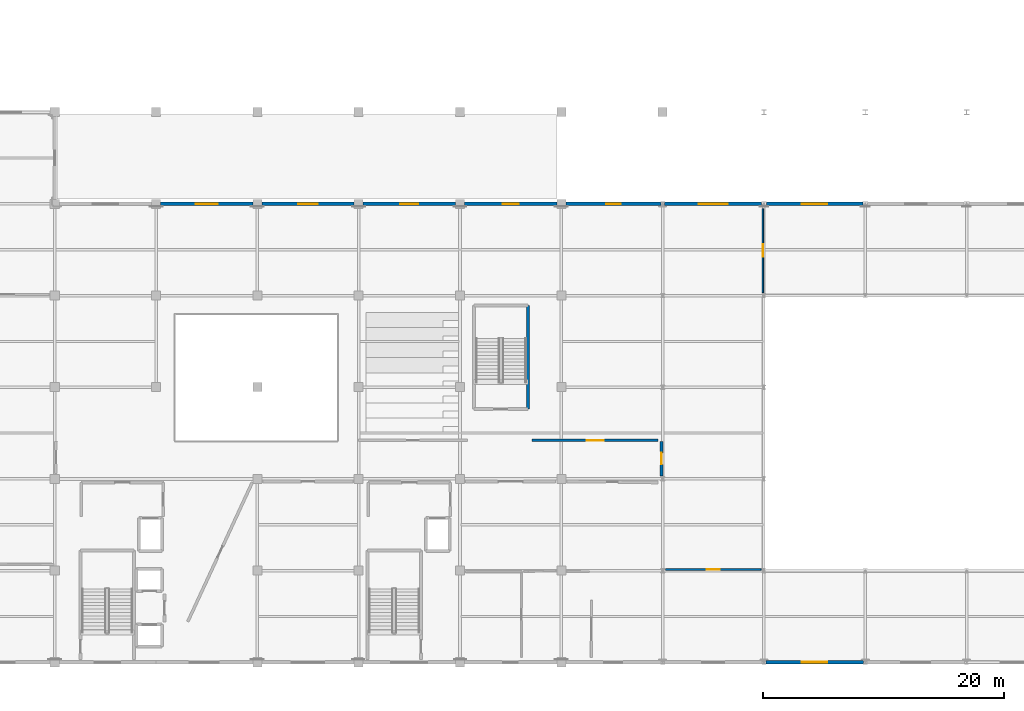
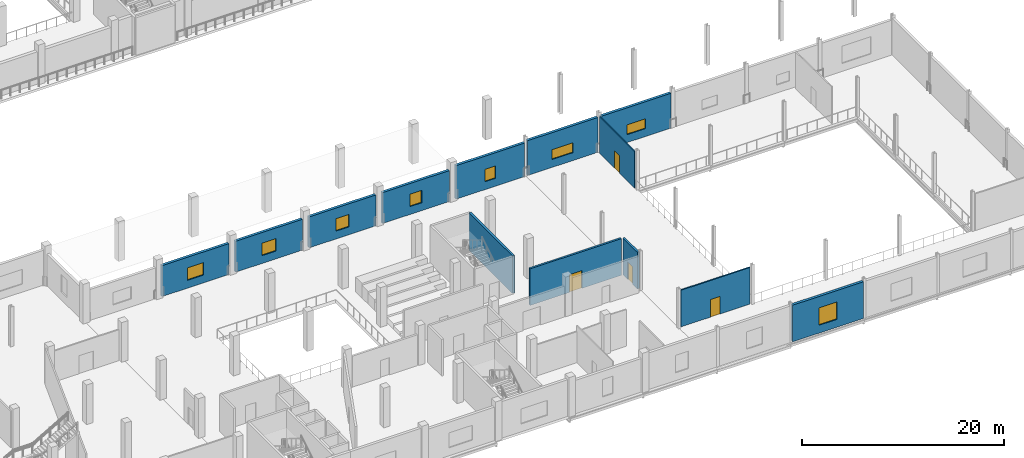
# One storey, part 27 of 51: 13 walls, 8 windows, 4 doors, 12 openings.
"""IFC4 building model written with IfcOpenShell, lengths in metres."""

import ifcopenshell
import ifcopenshell.guid

model = None  # the IFC model being written
_history = None  # IfcOwnerHistory: only IFC2X3 demands one
_inside = {}  # id of a spatial element -> (the spatial element, [elements in it])
_under = {}  # id of a project, library or spatial element -> (it, [spatial elements below it])
_declared = {}  # id of a project -> (the project, [libraries it declares])
_typed = {}  # id of a type object -> (the type object, [elements of that type])
_made_of = {}  # id of a material, layer set ... -> (it, [elements and type objects made of it])


def new_model(schema):
    """Start an empty IFC model of exactly this schema.

    Asked for "IFC4X3", IfcOpenShell would pick the latest addendum, in which some entities
    have other attributes; the version numbers below select the first issue.
    IFC2X3 requires an IfcOwnerHistory on every rooted entity: one is made here for all.
    """
    global model, _history
    if schema == "IFC4X3":
        model = ifcopenshell.file(schema_version=(4, 3, 0, 0))
    else:
        model = ifcopenshell.file(schema=schema)
    _inside.clear()
    _under.clear()
    _declared.clear()
    _typed.clear()
    _made_of.clear()
    _history = None
    if model.schema == "IFC2X3":
        org = make("IfcOrganization", Name="unknown")
        user = make(
            "IfcPersonAndOrganization",
            ThePerson=make("IfcPerson", FamilyName="unknown"),
            TheOrganization=org,
        )
        app = make(
            "IfcApplication",
            ApplicationDeveloper=org,
            Version="unknown",
            ApplicationFullName="unknown",
            ApplicationIdentifier="unknown",
        )
        _history = make(
            "IfcOwnerHistory",
            OwningUser=user,
            OwningApplication=app,
            ChangeAction="ADDED",
            CreationDate=0,
        )
    return model


def make(cls, **values):
    """One entity of the class cls with the attributes given. An attribute that is None is left unset."""
    return model.create_entity(
        cls, **{name: value for name, value in values.items() if value is not None}
    )


def rooted(cls, **values):
    """An entity with a GlobalId (a new one), such as an element, a storey or a relation."""
    return make(cls, GlobalId=ifcopenshell.guid.new(), OwnerHistory=_history, **values)


def si_unit(unit_type, name, prefix=None):
    """IfcSIUnit, for example si_unit("LENGTHUNIT", "METRE", prefix="MILLI")."""
    return make("IfcSIUnit", UnitType=unit_type, Prefix=prefix, Name=name)


def assignment(units):
    """IfcUnitAssignment: the units of a project."""
    return None if units is None else make("IfcUnitAssignment", Units=units)


def point(xyz):
    """IfcCartesianPoint."""
    return None if xyz is None else make("IfcCartesianPoint", Coordinates=xyz)


def direction(xyz):
    """IfcDirection."""
    return None if xyz is None else make("IfcDirection", DirectionRatios=xyz)


def frame(location, z_axis=None, x_axis=None):
    """IfcAxis2Placement3D, a coordinate frame: its origin and axes. An axis left out is left unset."""
    return make(
        "IfcAxis2Placement3D",
        Location=point(location),
        Axis=direction(z_axis),
        RefDirection=direction(x_axis),
    )


def frame_2d(location, x_axis=None):
    """IfcAxis2Placement2D, a coordinate frame in the plane: its origin and x axis."""
    return make(
        "IfcAxis2Placement2D", Location=point(location), RefDirection=direction(x_axis)
    )


def origin():
    """The frame at (0, 0, 0) with its axes left unset."""
    return frame((0.0, 0.0, 0.0))


def place(relative_to, where):
    """IfcLocalPlacement: puts the frame where relative to a parent placement (None: the world)."""
    return make(
        "IfcLocalPlacement", PlacementRelTo=relative_to, RelativePlacement=where
    )


def context(
    kind, dimensions, precision=None, world=None, true_north=None, identifier=None
):
    """IfcGeometricRepresentationContext, for example the 3D "Model" context."""
    return make(
        "IfcGeometricRepresentationContext",
        ContextIdentifier=identifier,
        ContextType=kind,
        CoordinateSpaceDimension=dimensions,
        Precision=precision,
        WorldCoordinateSystem=world,
        TrueNorth=true_north,
    )


def subcontext(parent, identifier, kind, view, scale=None):
    """IfcGeometricRepresentationSubContext, for example "Body" below "Model"."""
    return make(
        "IfcGeometricRepresentationSubContext",
        ContextIdentifier=identifier,
        ContextType=kind,
        ParentContext=parent,
        TargetScale=scale,
        TargetView=view,
    )


def project(units=None, contexts=None):
    """IfcProject with its units and contexts."""
    return rooted(
        "IfcProject",
        Name="project",
        RepresentationContexts=contexts,
        UnitsInContext=assignment(units),
    )


def spatial(cls, under=None, at=None, **own):
    """A site, building, storey or space (cls), placed at a placement, below another one or the project."""
    s = rooted(cls, ObjectPlacement=at, **own)
    if under is not None:
        _under.setdefault(under.id(), (under, []))[1].append(s)
    return s


def profile(cls, at=None, kind="AREA", **sizes):
    """A parametric profile (cls). Its sizes go by their IFC names, for example OverallWidth=200.0."""
    return make(cls, ProfileType=kind, Position=at, **sizes)


def rectangle(**sizes):
    """IfcRectangleProfileDef."""
    return profile("IfcRectangleProfileDef", **sizes)


def extrude(swept, where, along, depth):
    """IfcExtrudedAreaSolid: the profile swept, set in the frame where, extruded along a direction by depth."""
    return make(
        "IfcExtrudedAreaSolid",
        SweptArea=swept,
        Position=where,
        ExtrudedDirection=direction(along),
        Depth=depth,
    )


def shape(context_of_items, identifier, shape_type, items):
    """IfcShapeRepresentation: the items that make up one representation, for example the "Body"."""
    return make(
        "IfcShapeRepresentation",
        ContextOfItems=context_of_items,
        RepresentationIdentifier=identifier,
        RepresentationType=shape_type,
        Items=items,
    )


def material(Name=None, Category=None):
    """IfcMaterial."""
    return make("IfcMaterial", Name=Name, Category=Category)


def layer(
    of_material, thickness, ventilated=None, Name=None, Category=None, Priority=None
):
    """IfcMaterialLayer: one layer of a wall or slab, of a material (None: an air gap)."""
    return make(
        "IfcMaterialLayer",
        Material=of_material,
        LayerThickness=thickness,
        IsVentilated=ventilated,
        Name=Name,
        Category=Category,
        Priority=Priority,
    )


def layer_set(layers, Name=None):
    """IfcMaterialLayerSet."""
    return make("IfcMaterialLayerSet", MaterialLayers=layers, LayerSetName=Name)


def made_of(thing, what):
    """Note that an element or type object is made of a material, layer set ...; save() writes the relation."""
    if what is not None:
        _made_of.setdefault(what.id(), (what, []))[1].append(thing)
    return thing


def type_object(cls, material=None, **own):
    """A type object (cls), such as IfcWallType, which elements share."""
    return made_of(rooted(cls, **own), material)


def element(
    cls,
    number,
    at=None,
    inside=None,
    cuts=None,
    type_object=None,
    material=None,
    context=None,
    identifier="Body",
    shape_type=None,
    held_by="IfcProductDefinitionShape",
    body=None,
    shapes=None,
    **own,
):
    """One element of the class cls, such as IfcWall. Its Tag is "e" and its number.

    at: its placement. inside: the storey or other place that contains it. cuts: it is an
    opening in that element (IfcRelVoidsElement). A single representation is given by context,
    identifier, shape_type and body (its items); several are given by shapes. held_by: the class
    of the entity that holds the representations. save() writes the other relations.
    """
    e = rooted(cls, Tag="e%d" % number, ObjectPlacement=at, **own)
    if body is not None:
        shapes = [shape(context, identifier, shape_type, body)]
    if shapes is not None:
        e.Representation = make(held_by, Representations=shapes)
    if inside is not None:
        _inside.setdefault(inside.id(), (inside, []))[1].append(e)
    if cuts is not None:
        rooted(
            "IfcRelVoidsElement", RelatingBuildingElement=cuts, RelatedOpeningElement=e
        )
    if type_object is not None:
        _typed.setdefault(type_object.id(), (type_object, []))[1].append(e)
    return made_of(e, material)


def fill(opening, filler):
    """IfcRelFillsElement: the door or window that sits in an opening."""
    return rooted(
        "IfcRelFillsElement",
        RelatingOpeningElement=opening,
        RelatedBuildingElement=filler,
    )


def aggregate(whole, parts):
    """IfcRelAggregates: a whole, such as a stair, and the parts it consists of."""
    return rooted("IfcRelAggregates", RelatingObject=whole, RelatedObjects=parts)


def save(model, path):
    """Write the relations noted so far, then the file.

    IfcRelAggregates (storeys below a building ...), IfcRelContainedInSpatialStructure (elements
    in a storey), IfcRelDefinesByType, IfcRelAssociatesMaterial and IfcRelDeclares: one each for
    every whole, place, type object, material and project.
    """
    for whole, parts in _under.values():
        aggregate(whole, parts)
    for where, things in _inside.values():
        rooted(
            "IfcRelContainedInSpatialStructure",
            RelatedElements=things,
            RelatingStructure=where,
        )
    for kind, things in _typed.values():
        rooted("IfcRelDefinesByType", RelatedObjects=things, RelatingType=kind)
    for what, things in _made_of.values():
        rooted("IfcRelAssociatesMaterial", RelatedObjects=things, RelatingMaterial=what)
    for by, libraries in _declared.values():
        rooted("IfcRelDeclares", RelatingContext=by, RelatedDefinitions=libraries)
    model.write(path)


model = new_model("IFC4")

# Units and contexts
model_context = context("Model", 3, precision=1e-05, world=origin(), true_north=direction((0.0, 1.0)))
body_context = subcontext(model_context, "Body", "Model", "MODEL_VIEW")
ifc_project = project(units=[si_unit("LENGTHUNIT", "METRE"), si_unit("AREAUNIT", "SQUARE_METRE"), si_unit("VOLUMEUNIT", "CUBIC_METRE"), si_unit("PLANEANGLEUNIT", "RADIAN"), si_unit("MASSUNIT", "GRAM", prefix="KILO")], contexts=[model_context])

# Site, building, storey
site_placement = place(None, origin())
site = spatial("IfcSite", under=ifc_project, at=site_placement, CompositionType="ELEMENT")
building_placement = place(site_placement, origin())
building = spatial("IfcBuilding", under=site, at=building_placement, Name="Zuvorla Pavilion Media Centre", CompositionType="ELEMENT")
storey_placement = place(building_placement, frame((0.0, 0.0, 4.800048828125)))
storey = spatial("IfcBuildingStorey", under=building, at=storey_placement, Name="L01", CompositionType="ELEMENT", Elevation=4.800048828125)

# Wall, opening, door
ifc_material_1 = material(Name="Acoustic masonry blockwork C32/40", Category="masonry")
ifc_layer_1 = layer(ifc_material_1, 0.219970703125)
ifc_layer_set_1 = layer_set([ifc_layer_1], Name="Acoustic masonry blockwork C32/40")
wall_type_1 = type_object("IfcWallType", Name="WL-CMP-220", PredefinedType="SOLIDWALL", material=ifc_layer_set_1)
wall_1_placement = place(storey_placement, frame((106.380615234375, 24.39990234375, 0.0), z_axis=(0.0, 0.0, 1.0), x_axis=(1.0, 0.0, 0.0)))
wall_1 = element("IfcWall", 1, at=wall_1_placement, inside=storey, type_object=wall_type_1, Name="L01 solid wall IW22 474", PredefinedType="SOLIDWALL", context=body_context, shape_type="SweptSolid", body=[
    extrude(rectangle(XDim=10.43896484375, YDim=0.219970703125, at=frame_2d((5.219482421875, 0.0))), origin(), (0.0, 0.0, 1.0), 4.429931640625),
])
opening_1_placement = place(wall_1_placement, frame((4.51953125, 0.0, 0.0)))
opening_1 = element("IfcOpeningElement", 2, at=opening_1_placement, cuts=wall_1, Name="Opening FD07", PredefinedType="OPENING", context=body_context, shape_type="SweptSolid", body=[
    extrude(rectangle(XDim=1.39990234375, YDim=2.14990234375, at=frame_2d((0.699951171875, 1.074951171875))), frame((0.0, 0.119873046875, 0.0), z_axis=(0.0, -1.0, 0.0), x_axis=(1.0, 0.0, 0.0)), (0.0, 0.0, 1.0), 0.239990234375),
])
ifc_material_2 = material(Name="Acoustic timber fire door leaf in steel frame", Category="steel")
door_type_1 = type_object("IfcDoorType", Name="DR-INT-FD07", OperationType="NOTDEFINED", PredefinedType="DOOR", material=ifc_material_2)
door_1_placement = place(opening_1_placement, origin())
door_1 = element("IfcDoor", 3, at=door_1_placement, inside=storey, type_object=door_type_1, Name="Interior door FD07 191", OperationType="DOUBLE_DOOR_SINGLE_SWING", OverallHeight=2.14990234375, OverallWidth=1.39990234375, PredefinedType="DOOR", context=body_context, shape_type="SweptSolid", body=[
    extrude(rectangle(XDim=1.39990234375, YDim=2.14990234375, at=frame_2d((0.699951171875, 1.074951171875))), frame((0.0, 0.02490234375, 0.0), z_axis=(0.0, -1.0, 0.0), x_axis=(1.0, 0.0, 0.0)), (0.0, 0.0, 1.0), 0.050048828125),
])
fill(opening_1, door_1)

wall_2_placement = place(storey_placement, frame((117.100830078125, 24.320068359375, 0.0), z_axis=(0.0, 0.0, 1.0), x_axis=(0.003062512223, -0.999995310498, 0.0)))
wall_2 = element("IfcWall", 4, at=wall_2_placement, inside=storey, type_object=wall_type_1, Name="L01 solid wall IW22 475", PredefinedType="SOLIDWALL", context=body_context, shape_type="SweptSolid", body=[
    extrude(rectangle(XDim=2.869873046875, YDim=0.219970703125, at=frame_2d((1.43505859375, 0.0))), origin(), (0.0, 0.0, 1.0), 4.429931640625),
])
opening_2_placement = place(wall_2_placement, frame((0.9599609375, 0.0, 0.0)))
opening_2 = element("IfcOpeningElement", 5, at=opening_2_placement, cuts=wall_2, Name="Opening FD02", PredefinedType="OPENING", context=body_context, shape_type="SweptSolid", body=[
    extrude(rectangle(XDim=0.949951171875, YDim=2.10009765625, at=frame_2d((0.47509765625, 1.050048828125))), frame((0.0, 0.119873046875, 0.0), z_axis=(0.0, -1.0, 0.0), x_axis=(1.0, 0.0, 0.0)), (0.0, 0.0, 1.0), 0.239990234375),
])
door_type_2 = type_object("IfcDoorType", Name="DR-INT-FD02", OperationType="NOTDEFINED", PredefinedType="DOOR", material=ifc_material_2)
door_2_placement = place(opening_2_placement, origin())
door_2 = element("IfcDoor", 6, at=door_2_placement, inside=storey, type_object=door_type_2, Name="Interior door FD02 192", OperationType="SINGLE_SWING_RIGHT", OverallHeight=2.10009765625, OverallWidth=0.949951171875, PredefinedType="DOOR", context=body_context, shape_type="SweptSolid", body=[
    extrude(rectangle(XDim=0.949951171875, YDim=2.10009765625, at=frame_2d((0.47509765625, 1.050048828125))), frame((0.0, 0.02490234375, 0.0), z_axis=(0.0, -1.0, 0.0), x_axis=(1.0, 0.0, 0.0)), (0.0, 0.0, 1.0), 0.050048828125),
])
fill(opening_2, door_2)

# Wall
ifc_material_3 = material(Name="Concrete C40/50", Category="concrete")
ifc_layer_2 = layer(ifc_material_3, 0.25)
ifc_layer_set_2 = layer_set([ifc_layer_2], Name="Concrete C40/50")
wall_type_2 = type_object("IfcWallType", Name="WL-COR-250", PredefinedType="SHEAR", material=ifc_layer_set_2)
wall_3_placement = place(storey_placement, frame((106.02490234375, 26.97509765625, 0.0), z_axis=(0.0, 0.0, 1.0), x_axis=(0.0, 1.0, 0.0)))
element("IfcWall", 7, at=wall_3_placement, inside=storey, type_object=wall_type_2, Name="L01 shear wall CW25 310", PredefinedType="SHEAR", context=body_context, shape_type="SweptSolid", body=[
    extrude(rectangle(XDim=8.599853515625, YDim=0.25, at=frame_2d((4.2998046875, 0.0))), origin(), (0.0, 0.0, 1.0), 4.5400390625),
])

# Wall, opening, window
ifc_material_4 = material(Name="White rendered concrete C32/40", Category="concrete")
ifc_layer_3 = layer(ifc_material_4, 0.300048828125)
ifc_layer_set_3 = layer_set([ifc_layer_3], Name="White rendered concrete C32/40")
wall_type_3 = type_object("IfcWallType", Name="WL-EXT-300", PredefinedType="SOLIDWALL", material=ifc_layer_set_3)
wall_4_placement = place(storey_placement, frame((125.754638671875, 6.0, 0.0), z_axis=(0.0, 0.0, 1.0), x_axis=(1.0, 0.0, 0.0)))
wall_4 = element("IfcWall", 8, at=wall_4_placement, inside=storey, type_object=wall_type_3, Name="L01 exterior solid wall EW03 169", PredefinedType="SOLIDWALL", context=body_context, shape_type="SweptSolid", body=[
    extrude(rectangle(XDim=8.0908203125, YDim=0.300048828125, at=frame_2d((4.04541015625, 0.0))), origin(), (0.0, 0.0, 1.0), 4.429931640625),
])
opening_3_placement = place(wall_4_placement, frame((2.995361328125, 0.0, 0.949951171875)))
opening_3 = element("IfcOpeningElement", 9, at=opening_3_placement, cuts=wall_4, Name="Opening WN20", PredefinedType="OPENING", context=body_context, shape_type="SweptSolid", body=[
    extrude(rectangle(XDim=2.10009765625, YDim=2.10009765625, at=frame_2d((1.050048828125, 1.050048828125))), frame((0.0, 0.159912109375, 0.0), z_axis=(0.0, -1.0, 0.0), x_axis=(1.0, 0.0, 0.0)), (0.0, 0.0, 1.0), 0.320068359375),
])
ifc_material_5 = material(Name="Anodised aluminium frame with solar double glazing", Category="aluminium")
window_type_1 = type_object("IfcWindowType", Name="WIN-WN20", PartitioningType="DOUBLE_PANEL_VERTICAL", PredefinedType="WINDOW", material=ifc_material_5)
window_1_placement = place(opening_3_placement, origin())
window_1 = element("IfcWindow", 10, at=window_1_placement, inside=storey, type_object=window_type_1, Name="L01 window WN20 48", OverallHeight=2.10009765625, OverallWidth=2.10009765625, PartitioningType="DOUBLE_PANEL_VERTICAL", PredefinedType="WINDOW", context=body_context, shape_type="SweptSolid", body=[
    extrude(rectangle(XDim=2.10009765625, YDim=2.10009765625, at=frame_2d((1.050048828125, 1.050048828125))), frame((0.0, 0.030029296875, 0.0), z_axis=(0.0, -1.0, 0.0), x_axis=(1.0, 0.0, 0.0)), (0.0, 0.0, 1.0), 0.06005859375),
])
fill(opening_3, window_1)

wall_5_placement = place(storey_placement, frame((133.800537109375, 44.0, 0.0), z_axis=(0.0, 0.0, 1.0), x_axis=(-1.0, 0.0, 0.0)))
wall_5 = element("IfcWall", 11, at=wall_5_placement, inside=storey, type_object=wall_type_3, Name="L01 exterior solid wall EW03 181", PredefinedType="SOLIDWALL", context=body_context, shape_type="SweptSolid", body=[
    extrude(rectangle(XDim=8.0009765625, YDim=0.300048828125, at=frame_2d((4.00048828125, 0.0))), origin(), (0.0, 0.0, 1.0), 4.20703125),
])
opening_4_placement = place(wall_5_placement, frame((2.950439453125, 0.0, 0.949951171875)))
opening_4 = element("IfcOpeningElement", 12, at=opening_4_placement, cuts=wall_5, Name="Opening WN27", PredefinedType="OPENING", context=body_context, shape_type="SweptSolid", body=[
    extrude(rectangle(XDim=2.10009765625, YDim=1.199951171875, at=frame_2d((1.050048828125, 0.60009765625))), frame((0.0, 0.159912109375, 0.0), z_axis=(0.0, -1.0, 0.0), x_axis=(1.0, 0.0, 0.0)), (0.0, 0.0, 1.0), 0.320068359375),
])
window_type_2 = type_object("IfcWindowType", Name="WIN-WN27", PartitioningType="DOUBLE_PANEL_VERTICAL", PredefinedType="WINDOW", material=ifc_material_5)
window_2_placement = place(opening_4_placement, origin())
window_2 = element("IfcWindow", 13, at=window_2_placement, inside=storey, type_object=window_type_2, Name="L01 window WN27 55", OverallHeight=1.199951171875, OverallWidth=2.10009765625, PartitioningType="DOUBLE_PANEL_VERTICAL", PredefinedType="WINDOW", context=body_context, shape_type="SweptSolid", body=[
    extrude(rectangle(XDim=2.10009765625, YDim=1.199951171875, at=frame_2d((1.050048828125, 0.60009765625))), frame((0.0, 0.030029296875, 0.0), z_axis=(0.0, -1.0, 0.0), x_axis=(1.0, 0.0, 0.0)), (0.0, 0.0, 1.0), 0.06005859375),
])
fill(opening_4, window_2)

wall_6_placement = place(storey_placement, frame((125.400390625, 44.0, 0.0), z_axis=(0.0, 0.0, 1.0), x_axis=(-1.0, 0.0, 0.0)))
wall_6 = element("IfcWall", 14, at=wall_6_placement, inside=storey, type_object=wall_type_3, Name="L01 exterior solid wall EW03 182", PredefinedType="SOLIDWALL", context=body_context, shape_type="SweptSolid", body=[
    extrude(rectangle(XDim=8.0458984375, YDim=0.300048828125, at=frame_2d((4.02294921875, 0.0))), origin(), (0.0, 0.0, 1.0), 4.20703125),
])
opening_5_placement = place(wall_6_placement, frame((2.822998046875, 0.0, 0.949951171875)))
opening_5 = element("IfcOpeningElement", 15, at=opening_5_placement, cuts=wall_6, Name="Opening WN28", PredefinedType="OPENING", context=body_context, shape_type="SweptSolid", body=[
    extrude(rectangle(XDim=2.39990234375, YDim=1.199951171875, at=frame_2d((1.199951171875, 0.60009765625))), frame((0.0, 0.159912109375, 0.0), z_axis=(0.0, -1.0, 0.0), x_axis=(1.0, 0.0, 0.0)), (0.0, 0.0, 1.0), 0.320068359375),
])
window_type_3 = type_object("IfcWindowType", Name="WIN-WN28", PartitioningType="DOUBLE_PANEL_VERTICAL", PredefinedType="WINDOW", material=ifc_material_5)
window_3_placement = place(opening_5_placement, origin())
window_3 = element("IfcWindow", 16, at=window_3_placement, inside=storey, type_object=window_type_3, Name="L01 window WN28 56", OverallHeight=1.199951171875, OverallWidth=2.39990234375, PartitioningType="DOUBLE_PANEL_VERTICAL", PredefinedType="WINDOW", context=body_context, shape_type="SweptSolid", body=[
    extrude(rectangle(XDim=2.39990234375, YDim=1.199951171875, at=frame_2d((1.199951171875, 0.60009765625))), frame((0.0, 0.030029296875, 0.0), z_axis=(0.0, -1.0, 0.0), x_axis=(1.0, 0.0, 0.0)), (0.0, 0.0, 1.0), 0.06005859375),
])
fill(opening_5, window_3)

wall_7_placement = place(storey_placement, frame((117.04541015625, 44.0, 0.0), z_axis=(0.0, 0.0, 1.0), x_axis=(-1.0, 0.0, 0.0)))
wall_7 = element("IfcWall", 17, at=wall_7_placement, inside=storey, type_object=wall_type_3, Name="L01 exterior solid wall EW03 183", PredefinedType="SOLIDWALL", context=body_context, shape_type="SweptSolid", body=[
    extrude(rectangle(XDim=7.870361328125, YDim=0.300048828125, at=frame_2d((3.93505859375, 0.0))), origin(), (0.0, 0.0, 1.0), 4.046875),
])
opening_6_placement = place(wall_7_placement, frame((3.335205078125, 0.0, 0.949951171875)))
opening_6 = element("IfcOpeningElement", 18, at=opening_6_placement, cuts=wall_7, Name="Opening WN01", PredefinedType="OPENING", context=body_context, shape_type="SweptSolid", body=[
    extrude(rectangle(XDim=1.199951171875, YDim=1.5, at=frame_2d((0.60009765625, 0.75))), frame((0.0, 0.159912109375, 0.0), z_axis=(0.0, -1.0, 0.0), x_axis=(1.0, 0.0, 0.0)), (0.0, 0.0, 1.0), 0.320068359375),
])
window_type_4 = type_object("IfcWindowType", Name="WIN-WN01", PartitioningType="SINGLE_PANEL", PredefinedType="WINDOW", material=ifc_material_5)
window_4_placement = place(opening_6_placement, origin())
window_4 = element("IfcWindow", 19, at=window_4_placement, inside=storey, type_object=window_type_4, Name="L01 window WN01 57", OverallHeight=1.5, OverallWidth=1.199951171875, PartitioningType="SINGLE_PANEL", PredefinedType="WINDOW", context=body_context, shape_type="SweptSolid", body=[
    extrude(rectangle(XDim=1.199951171875, YDim=1.5, at=frame_2d((0.60009765625, 0.75))), frame((0.0, 0.030029296875, 0.0), z_axis=(0.0, -1.0, 0.0), x_axis=(1.0, 0.0, 0.0)), (0.0, 0.0, 1.0), 0.06005859375),
])
fill(opening_6, window_4)

wall_8_placement = place(storey_placement, frame((108.425048828125, 44.0, 0.0), z_axis=(0.0, 0.0, 1.0), x_axis=(-1.0, 0.0, 0.0)))
wall_8 = element("IfcWall", 20, at=wall_8_placement, inside=storey, type_object=wall_type_3, Name="L01 exterior solid wall EW03 184", PredefinedType="SOLIDWALL", context=body_context, shape_type="SweptSolid", body=[
    extrude(rectangle(XDim=7.650146484375, YDim=0.300048828125, at=frame_2d((3.8251953125, 0.0))), origin(), (0.0, 0.0, 1.0), 3.73486328125),
])
opening_7_placement = place(wall_8_placement, frame((3.14990234375, 0.0, 0.949951171875)))
opening_7 = element("IfcOpeningElement", 21, at=opening_7_placement, cuts=wall_8, Name="Opening WN02", PredefinedType="OPENING", context=body_context, shape_type="SweptSolid", body=[
    extrude(rectangle(XDim=1.35009765625, YDim=1.5, at=frame_2d((0.675048828125, 0.75))), frame((0.0, 0.159912109375, 0.0), z_axis=(0.0, -1.0, 0.0), x_axis=(1.0, 0.0, 0.0)), (0.0, 0.0, 1.0), 0.320068359375),
])
window_type_5 = type_object("IfcWindowType", Name="WIN-WN02", PartitioningType="SINGLE_PANEL", PredefinedType="WINDOW", material=ifc_material_5)
window_5_placement = place(opening_7_placement, origin())
window_5 = element("IfcWindow", 22, at=window_5_placement, inside=storey, type_object=window_type_5, Name="L01 window WN02 58", OverallHeight=1.5, OverallWidth=1.35009765625, PartitioningType="SINGLE_PANEL", PredefinedType="WINDOW", context=body_context, shape_type="SweptSolid", body=[
    extrude(rectangle(XDim=1.35009765625, YDim=1.5, at=frame_2d((0.675048828125, 0.75))), frame((0.0, 0.030029296875, 0.0), z_axis=(0.0, -1.0, 0.0), x_axis=(1.0, 0.0, 0.0)), (0.0, 0.0, 1.0), 0.06005859375),
])
fill(opening_7, window_5)

wall_9_placement = place(storey_placement, frame((100.02490234375, 44.0, 0.0), z_axis=(0.0, 0.0, 1.0), x_axis=(-1.0, 0.0, 0.0)))
wall_9 = element("IfcWall", 23, at=wall_9_placement, inside=storey, type_object=wall_type_3, Name="L01 exterior solid wall EW03 185", PredefinedType="SOLIDWALL", context=body_context, shape_type="SweptSolid", body=[
    extrude(rectangle(XDim=7.64990234375, YDim=0.300048828125, at=frame_2d((3.824951171875, 0.0))), origin(), (0.0, 0.0, 1.0), 3.73486328125),
])
opening_8_placement = place(wall_9_placement, frame((3.074951171875, 0.0, 0.949951171875)))
opening_8 = element("IfcOpeningElement", 24, at=opening_8_placement, cuts=wall_9, Name="Opening WN03", PredefinedType="OPENING", context=body_context, shape_type="SweptSolid", body=[
    extrude(rectangle(XDim=1.5, YDim=1.5, at=frame_2d((0.75, 0.75))), frame((0.0, 0.159912109375, 0.0), z_axis=(0.0, -1.0, 0.0), x_axis=(1.0, 0.0, 0.0)), (0.0, 0.0, 1.0), 0.320068359375),
])
window_type_6 = type_object("IfcWindowType", Name="WIN-WN03", PartitioningType="SINGLE_PANEL", PredefinedType="WINDOW", material=ifc_material_5)
window_6_placement = place(opening_8_placement, origin())
window_6 = element("IfcWindow", 25, at=window_6_placement, inside=storey, type_object=window_type_6, Name="L01 window WN03 59", OverallHeight=1.5, OverallWidth=1.5, PartitioningType="SINGLE_PANEL", PredefinedType="WINDOW", context=body_context, shape_type="SweptSolid", body=[
    extrude(rectangle(XDim=1.5, YDim=1.5, at=frame_2d((0.75, 0.75))), frame((0.0, 0.030029296875, 0.0), z_axis=(0.0, -1.0, 0.0), x_axis=(1.0, 0.0, 0.0)), (0.0, 0.0, 1.0), 0.06005859375),
])
fill(opening_8, window_6)

wall_10_placement = place(storey_placement, frame((91.625, 44.0, 0.0), z_axis=(0.0, 0.0, 1.0), x_axis=(-1.0, 0.0, 0.0)))
wall_10 = element("IfcWall", 26, at=wall_10_placement, inside=storey, type_object=wall_type_3, Name="L01 exterior solid wall EW03 186", PredefinedType="SOLIDWALL", context=body_context, shape_type="SweptSolid", body=[
    extrude(rectangle(XDim=7.64990234375, YDim=0.300048828125, at=frame_2d((3.824951171875, 0.0))), origin(), (0.0, 0.0, 1.0), 3.73486328125),
])
opening_9_placement = place(wall_10_placement, frame((3.0, 0.0, 0.949951171875)))
opening_9 = element("IfcOpeningElement", 27, at=opening_9_placement, cuts=wall_10, Name="Opening WN04", PredefinedType="OPENING", context=body_context, shape_type="SweptSolid", body=[
    extrude(rectangle(XDim=1.64990234375, YDim=1.5, at=frame_2d((0.824951171875, 0.75))), frame((0.0, 0.159912109375, 0.0), z_axis=(0.0, -1.0, 0.0), x_axis=(1.0, 0.0, 0.0)), (0.0, 0.0, 1.0), 0.320068359375),
])
window_type_7 = type_object("IfcWindowType", Name="WIN-WN04", PartitioningType="SINGLE_PANEL", PredefinedType="WINDOW", material=ifc_material_5)
window_7_placement = place(opening_9_placement, origin())
window_7 = element("IfcWindow", 28, at=window_7_placement, inside=storey, type_object=window_type_7, Name="L01 window WN04 60", OverallHeight=1.5, OverallWidth=1.64990234375, PartitioningType="SINGLE_PANEL", PredefinedType="WINDOW", context=body_context, shape_type="SweptSolid", body=[
    extrude(rectangle(XDim=1.64990234375, YDim=1.5, at=frame_2d((0.824951171875, 0.75))), frame((0.0, 0.030029296875, 0.0), z_axis=(0.0, -1.0, 0.0), x_axis=(1.0, 0.0, 0.0)), (0.0, 0.0, 1.0), 0.06005859375),
])
fill(opening_9, window_7)

wall_11_placement = place(storey_placement, frame((83.22509765625, 44.0, 0.0), z_axis=(0.0, 0.0, 1.0), x_axis=(-1.0, 0.0, 0.0)))
wall_11 = element("IfcWall", 29, at=wall_11_placement, inside=storey, type_object=wall_type_3, Name="L01 exterior solid wall EW03 187", PredefinedType="SOLIDWALL", context=body_context, shape_type="SweptSolid", body=[
    extrude(rectangle(XDim=7.650146484375, YDim=0.300048828125, at=frame_2d((3.8251953125, 0.0))), origin(), (0.0, 0.0, 1.0), 3.73486328125),
])
opening_10_placement = place(wall_11_placement, frame((2.925048828125, 0.0, 0.949951171875)))
opening_10 = element("IfcOpeningElement", 30, at=opening_10_placement, cuts=wall_11, Name="Opening WN05", PredefinedType="OPENING", context=body_context, shape_type="SweptSolid", body=[
    extrude(rectangle(XDim=1.800048828125, YDim=1.5, at=frame_2d((0.89990234375, 0.75))), frame((0.0, 0.159912109375, 0.0), z_axis=(0.0, -1.0, 0.0), x_axis=(1.0, 0.0, 0.0)), (0.0, 0.0, 1.0), 0.320068359375),
])
window_type_8 = type_object("IfcWindowType", Name="WIN-WN05", PartitioningType="DOUBLE_PANEL_VERTICAL", PredefinedType="WINDOW", material=ifc_material_5)
window_8_placement = place(opening_10_placement, origin())
window_8 = element("IfcWindow", 31, at=window_8_placement, inside=storey, type_object=window_type_8, Name="L01 window WN05 61", OverallHeight=1.5, OverallWidth=1.800048828125, PartitioningType="DOUBLE_PANEL_VERTICAL", PredefinedType="WINDOW", context=body_context, shape_type="SweptSolid", body=[
    extrude(rectangle(XDim=1.800048828125, YDim=1.5, at=frame_2d((0.89990234375, 0.75))), frame((0.0, 0.030029296875, 0.0), z_axis=(0.0, -1.0, 0.0), x_axis=(1.0, 0.0, 0.0)), (0.0, 0.0, 1.0), 0.06005859375),
])
fill(opening_10, window_8)

# Wall, opening, door
ifc_material_6 = material(Name="Lightweight gypsum partition")
ifc_layer_4 = layer(ifc_material_6, 0.1201171875)
ifc_layer_set_4 = layer_set([ifc_layer_4], Name="Lightweight gypsum partition")
wall_type_4 = type_object("IfcWallType", Name="WL-PRT-120", PredefinedType="PARTITIONING", material=ifc_layer_set_4)
wall_12_placement = place(storey_placement, frame((125.510009765625, 43.60009765625, 0.0), z_axis=(0.0, 0.0, 1.0), x_axis=(0.0, -1.0, 0.0)))
wall_12 = element("IfcWall", 32, at=wall_12_placement, inside=storey, type_object=wall_type_4, Name="L01 partition PT12 467", PredefinedType="PARTITIONING", context=body_context, shape_type="SweptSolid", body=[
    extrude(rectangle(XDim=6.949951171875, YDim=0.1201171875, at=frame_2d((3.47509765625, 0.0))), origin(), (0.0, 0.0, 1.0), 4.429931640625),
])
opening_11_placement = place(wall_12_placement, frame((2.96484375, 0.0, 0.0)))
opening_11 = element("IfcOpeningElement", 33, at=opening_11_placement, cuts=wall_12, Name="Opening ID04", PredefinedType="OPENING", context=body_context, shape_type="SweptSolid", body=[
    extrude(rectangle(XDim=1.02001953125, YDim=2.1201171875, at=frame_2d((0.510009765625, 1.06005859375))), frame((0.0, 0.070068359375, 0.0), z_axis=(0.0, -1.0, 0.0), x_axis=(1.0, 0.0, 0.0)), (0.0, 0.0, 1.0), 0.14013671875),
])
ifc_material_7 = material(Name="Hardwood acoustic studio door in anodised frame", Category="wood")
door_type_3 = type_object("IfcDoorType", Name="DR-UNR-ID04", OperationType="NOTDEFINED", PredefinedType="DOOR", material=ifc_material_7)
door_3_placement = place(opening_11_placement, origin())
door_3 = element("IfcDoor", 34, at=door_3_placement, inside=storey, type_object=door_type_3, Name="Interior door ID04 184", OperationType="SINGLE_SWING_RIGHT", OverallHeight=2.1201171875, OverallWidth=1.02001953125, PredefinedType="DOOR", context=body_context, shape_type="SweptSolid", body=[
    extrude(rectangle(XDim=1.02001953125, YDim=2.1201171875, at=frame_2d((0.510009765625, 1.06005859375))), frame((0.0, 0.02490234375, 0.0), z_axis=(0.0, -1.0, 0.0), x_axis=(1.0, 0.0, 0.0)), (0.0, 0.0, 1.0), 0.050048828125),
])
fill(opening_11, door_3)

ifc_material_8 = material(Name="Acoustic gypsum stud partition")
ifc_layer_5 = layer(ifc_material_8, 0.14990234375)
ifc_layer_set_5 = layer_set([ifc_layer_5], Name="Acoustic gypsum stud partition")
wall_type_5 = type_object("IfcWallType", Name="WL-PRT-150", PredefinedType="PARTITIONING", material=ifc_layer_set_5)
wall_13_placement = place(storey_placement, frame((125.35546875, 13.68994140625, 0.0), z_axis=(0.0, 0.0, 1.0), x_axis=(-1.0, 0.0, 0.0)))
wall_13 = element("IfcWall", 35, at=wall_13_placement, inside=storey, type_object=wall_type_5, Name="L01 partition PT15 468", PredefinedType="PARTITIONING", context=body_context, shape_type="SweptSolid", body=[
    extrude(rectangle(XDim=7.910888671875, YDim=0.14990234375, at=frame_2d((3.95556640625, 0.0))), origin(), (0.0, 0.0, 1.0), 4.429931640625),
])
opening_12_placement = place(wall_13_placement, frame((3.415283203125, 0.0, 0.0)))
opening_12 = element("IfcOpeningElement", 36, at=opening_12_placement, cuts=wall_13, Name="Opening ID05", PredefinedType="OPENING", context=body_context, shape_type="SweptSolid", body=[
    extrude(rectangle(XDim=1.080078125, YDim=2.1201171875, at=frame_2d((0.5400390625, 1.06005859375))), frame((0.0, 0.0849609375, 0.0), z_axis=(0.0, -1.0, 0.0), x_axis=(1.0, 0.0, 0.0)), (0.0, 0.0, 1.0), 0.169921875),
])
door_type_4 = type_object("IfcDoorType", Name="DR-UNR-ID05", OperationType="NOTDEFINED", PredefinedType="DOOR", material=ifc_material_7)
door_4_placement = place(opening_12_placement, origin())
door_4 = element("IfcDoor", 37, at=door_4_placement, inside=storey, type_object=door_type_4, Name="Interior door ID05 185", OperationType="SINGLE_SWING_LEFT", OverallHeight=2.1201171875, OverallWidth=1.080078125, PredefinedType="DOOR", context=body_context, shape_type="SweptSolid", body=[
    extrude(rectangle(XDim=1.080078125, YDim=2.1201171875, at=frame_2d((0.5400390625, 1.06005859375))), frame((0.0, 0.02490234375, 0.0), z_axis=(0.0, -1.0, 0.0), x_axis=(1.0, 0.0, 0.0)), (0.0, 0.0, 1.0), 0.050048828125),
])
fill(opening_12, door_4)

save(model, "model.ifc")
